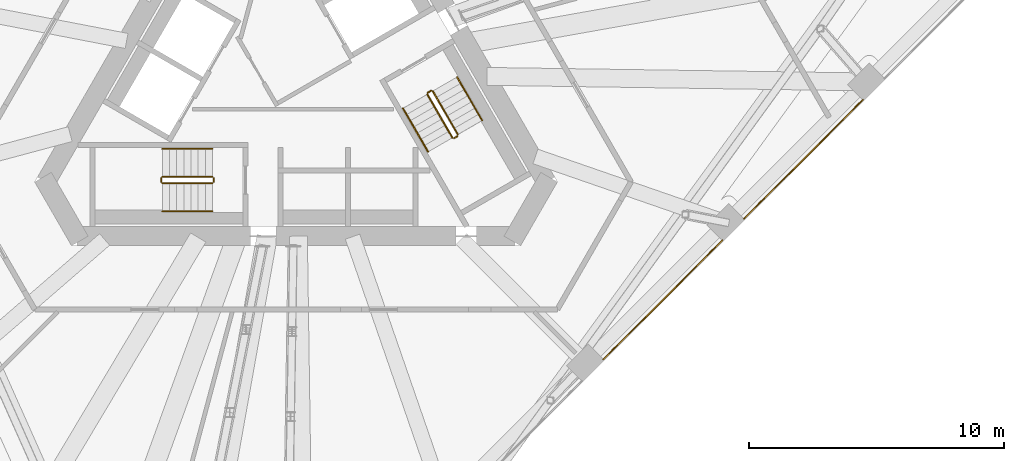
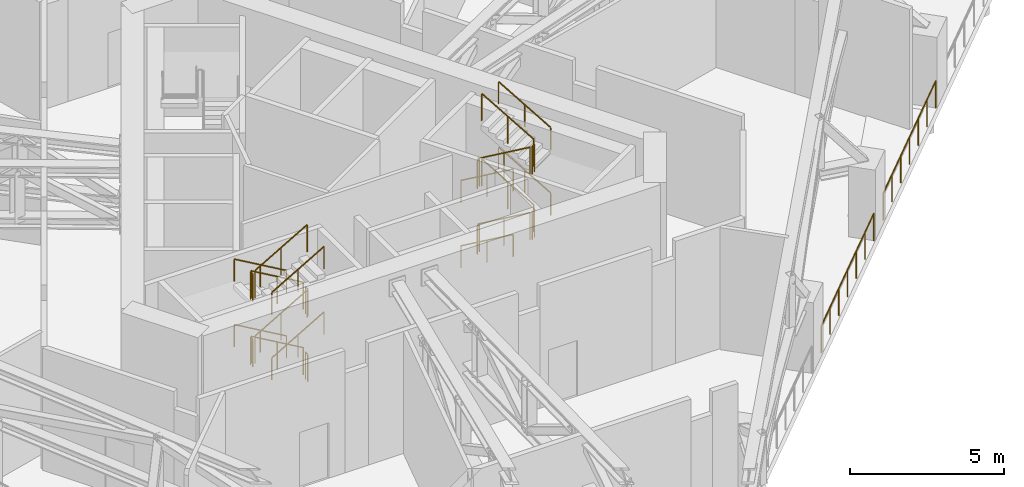
# One storey, part 19 of 22: 26 railings.
"""IFC4 building model written with IfcOpenShell, lengths in metres."""

from ifc_helpers import new_model, si_unit, direction, frame, origin, origin_2d, place, context, subcontext, project, spatial, circle, extrude, material, type_object, element, save


model = new_model("IFC4")

# Units and contexts
model_context = context("Model", 3, precision=1e-05, world=origin(), true_north=direction((0.0, 1.0)))
body_context = subcontext(model_context, "Body", "Model", "MODEL_VIEW")
ifc_project = project(units=[si_unit("LENGTHUNIT", "METRE"), si_unit("AREAUNIT", "SQUARE_METRE"), si_unit("VOLUMEUNIT", "CUBIC_METRE"), si_unit("PLANEANGLEUNIT", "RADIAN"), si_unit("MASSUNIT", "GRAM", prefix="KILO")], contexts=[model_context])

# Site, building, storey
site_placement = place(None, origin())
site = spatial("IfcSite", under=ifc_project, at=site_placement, CompositionType="ELEMENT")
building_placement = place(site_placement, origin())
building = spatial("IfcBuilding", under=site, at=building_placement, Name="Tramontana Tower", CompositionType="ELEMENT")
storey_placement = place(building_placement, frame((0.0, 0.0, 232.0)))
storey = spatial("IfcBuildingStorey", under=building, at=storey_placement, Name="L54", CompositionType="ELEMENT", Elevation=232.0)

# Railings
ifc_material_1 = material(Name="Stainless steel rail and posts", Category="steel")
railing_type_1 = type_object("IfcRailingType", Name="GD2 Terrace guard 1100", PredefinedType="GUARDRAIL", material=ifc_material_1)
railing_1_placement = place(storey_placement, frame((12.05615234375, -11.207763671875, 0.0)))
element("IfcRailing", 1, at=railing_1_placement, inside=storey, type_object=railing_type_1, Name="Edge guard L54 16", PredefinedType="GUARDRAIL", context=body_context, shape_type="SweptSolid", body=[
    extrude(circle(Radius=0.02392578125, at=origin_2d()), frame((0.0, 0.0, 1.076171875), z_axis=(0.707106781187, 0.707106781187, 0.0), x_axis=(-0.707106781187, 0.707106781187, 0.0)), (0.0, 0.0, 1.0), 6.59423828125),
    extrude(circle(Radius=0.02099609375, at=origin_2d()), origin(), (0.0, 0.0, 1.0), 1.052001953125),
    extrude(circle(Radius=0.02099609375, at=origin_2d()), frame((0.777099609375, 0.777099609375, 0.0)), (0.0, 0.0, 1.0), 1.052001953125),
    extrude(circle(Radius=0.02099609375, at=origin_2d()), frame((1.55419921875, 1.55419921875, 0.0)), (0.0, 0.0, 1.0), 1.052001953125),
    extrude(circle(Radius=0.02099609375, at=origin_2d()), frame((2.33154296875, 2.33154296875, 0.0)), (0.0, 0.0, 1.0), 1.052001953125),
    extrude(circle(Radius=0.02099609375, at=origin_2d()), frame((3.108642578125, 3.108642578125, 0.0)), (0.0, 0.0, 1.0), 1.052001953125),
    extrude(circle(Radius=0.02099609375, at=origin_2d()), frame((3.8857421875, 3.8857421875, 0.0)), (0.0, 0.0, 1.0), 1.052001953125),
    extrude(circle(Radius=0.02099609375, at=origin_2d()), frame((4.662841796875, 4.662841796875, 0.0)), (0.0, 0.0, 1.0), 1.052001953125),
])
railing_2_placement = place(storey_placement, frame((17.567626953125, -5.6962890625, 0.0)))
element("IfcRailing", 2, at=railing_2_placement, inside=storey, type_object=railing_type_1, Name="Edge guard L54 18", PredefinedType="GUARDRAIL", context=body_context, shape_type="SweptSolid", body=[
    extrude(circle(Radius=0.02392578125, at=origin_2d()), frame((0.0, 0.0, 1.076171875), z_axis=(0.707088268842, 0.707125293047, 0.0), x_axis=(-0.707125293047, 0.707088268842, 0.0)), (0.0, 0.0, 1.0), 6.593994140625),
    extrude(circle(Radius=0.02099609375, at=origin_2d()), origin(), (0.0, 0.0, 1.0), 1.052001953125),
    extrude(circle(Radius=0.02099609375, at=origin_2d()), frame((0.777099609375, 0.777099609375, 0.0)), (0.0, 0.0, 1.0), 1.052001953125),
    extrude(circle(Radius=0.02099609375, at=origin_2d()), frame((1.55419921875, 1.55419921875, 0.0)), (0.0, 0.0, 1.0), 1.052001953125),
    extrude(circle(Radius=0.02099609375, at=origin_2d()), frame((2.331298828125, 2.33154296875, 0.0)), (0.0, 0.0, 1.0), 1.052001953125),
    extrude(circle(Radius=0.02099609375, at=origin_2d()), frame((3.1083984375, 3.108642578125, 0.0)), (0.0, 0.0, 1.0), 1.052001953125),
    extrude(circle(Radius=0.02099609375, at=origin_2d()), frame((3.885498046875, 3.8857421875, 0.0)), (0.0, 0.0, 1.0), 1.052001953125),
    extrude(circle(Radius=0.02099609375, at=origin_2d()), frame((4.66259765625, 4.662841796875, 0.0)), (0.0, 0.0, 1.0), 1.052001953125),
])
ifc_material_2 = material(Name="Painted steel", Category="steel")
railing_type_2 = type_object("IfcRailingType", Name="STAIR GUARD 1100", PredefinedType="GUARDRAIL", material=ifc_material_2)
railing_3_placement = place(storey_placement, frame((-3.280029296875, -4.050048828125, 0.16259765625)))
element("IfcRailing", 3, at=railing_3_placement, inside=storey, type_object=railing_type_2, Name="L54 ST2 stair guard 1", PredefinedType="GUARDRAIL", context=body_context, shape_type="SweptSolid", body=[
    extrude(circle(Radius=0.02392578125, at=origin_2d()), frame((0.0, 0.0, 1.076171875), z_axis=(-0.864902109995, 0.0, 0.501940574298), x_axis=(0.0, -1.0, 0.0)), (0.0, 0.0, 1.0), 2.26611328125),
    extrude(circle(Radius=0.02099609375, at=origin_2d()), origin(), (0.0, 0.0, 1.0), 1.052001953125),
    extrude(circle(Radius=0.02099609375, at=origin_2d()), frame((-0.97998046875, 0.0, 0.56884765625)), (0.0, 0.0, 1.0), 1.052001953125),
    extrude(circle(Radius=0.02099609375, at=origin_2d()), frame((-1.9599609375, 0.0, 1.137451171875)), (0.0, 0.0, 1.0), 1.052001953125),
])
railing_4_placement = place(storey_placement, frame((-5.239990234375, -4.300048828125, 1.46240234375)))
element("IfcRailing", 4, at=railing_4_placement, inside=storey, type_object=railing_type_2, Name="L54 ST2 stair guard 2", PredefinedType="GUARDRAIL", context=body_context, shape_type="SweptSolid", body=[
    extrude(circle(Radius=0.02392578125, at=origin_2d()), frame((0.0, 0.0, 1.076171875), z_axis=(0.864855337533, 0.0, 0.502021160053), x_axis=(0.0, 1.0, 0.0)), (0.0, 0.0, 1.0), 2.26611328125),
    extrude(circle(Radius=0.02099609375, at=origin_2d()), origin(), (0.0, 0.0, 1.0), 1.052001953125),
    extrude(circle(Radius=0.02099609375, at=origin_2d()), frame((0.97998046875, 0.0, 0.56884765625)), (0.0, 0.0, 1.0), 1.052001953125),
    extrude(circle(Radius=0.02099609375, at=origin_2d()), frame((1.9599609375, 0.0, 1.1376953125)), (0.0, 0.0, 1.0), 1.052001953125),
])
railing_5_placement = place(storey_placement, frame((-3.280029296875, -4.050048828125, 2.762451171875)))
element("IfcRailing", 5, at=railing_5_placement, inside=storey, type_object=railing_type_2, Name="L54 ST2 stair guard 3", PredefinedType="GUARDRAIL", context=body_context, shape_type="SweptSolid", body=[
    extrude(circle(Radius=0.02392578125, at=origin_2d()), frame((0.0, 0.0, 1.076171875), z_axis=(-0.864902109995, 0.0, 0.501940574298), x_axis=(0.0, -1.0, 0.0)), (0.0, 0.0, 1.0), 2.26611328125),
    extrude(circle(Radius=0.02099609375, at=origin_2d()), origin(), (0.0, 0.0, 1.0), 1.052001953125),
    extrude(circle(Radius=0.02099609375, at=origin_2d()), frame((-0.97998046875, 0.0, 0.56884765625)), (0.0, 0.0, 1.0), 1.052001953125),
    extrude(circle(Radius=0.02099609375, at=origin_2d()), frame((-1.9599609375, 0.0, 1.137451171875)), (0.0, 0.0, 1.0), 1.052001953125),
])
railing_6_placement = place(storey_placement, frame((-5.239990234375, -4.300048828125, 4.0625)))
element("IfcRailing", 6, at=railing_6_placement, inside=storey, type_object=railing_type_2, Name="L54 ST2 stair guard 4", PredefinedType="GUARDRAIL", context=body_context, shape_type="SweptSolid", body=[
    extrude(circle(Radius=0.02392578125, at=origin_2d()), frame((0.0, 0.0, 1.076171875), z_axis=(0.864902109995, 0.0, 0.501940574298), x_axis=(0.0, 1.0, 0.0)), (0.0, 0.0, 1.0), 2.26611328125),
    extrude(circle(Radius=0.02099609375, at=origin_2d()), origin(), (0.0, 0.0, 1.0), 1.052001953125),
    extrude(circle(Radius=0.02099609375, at=origin_2d()), frame((0.97998046875, 0.0, 0.56884765625)), (0.0, 0.0, 1.0), 1.052001953125),
    extrude(circle(Radius=0.02099609375, at=origin_2d()), frame((1.9599609375, 0.0, 1.137451171875)), (0.0, 0.0, 1.0), 1.052001953125),
])
for number, where, name in (
    (7, (-5.2900390625, -4.10009765625, 1.300048828125), "L54 ST2 stair guard 5"),
    (8, (-3.22998046875, -4.10009765625, 2.60009765625), "L54 ST2 stair guard 6"),
    (9, (-5.2900390625, -4.10009765625, 3.89990234375), "L54 ST2 stair guard 7"),
    (10, (-3.22998046875, -4.10009765625, 0.0), "L54 ST2 stair guard 8"),
):
    element("IfcRailing", number, at=place(storey_placement, frame(where)), inside=storey, type_object=railing_type_2, Name=name, PredefinedType="GUARDRAIL", context=body_context, shape_type="SweptSolid", body=[
        extrude(circle(Radius=0.02392578125, at=origin_2d()), frame((0.0, 0.0, 1.076171875), z_axis=(0.0, -1.0, 0.0), x_axis=(1.0, 0.0, 0.0)), (0.0, 0.0, 1.0), 0.14990234375),
        extrude(circle(Radius=0.02099609375, at=origin_2d()), origin(), (0.0, 0.0, 1.0), 1.052001953125),
        extrude(circle(Radius=0.02099609375, at=origin_2d()), frame((0.0, -0.14990234375, 0.0)), (0.0, 0.0, 1.0), 1.052001953125),
    ])
railing_7_placement = place(storey_placement, frame((5.1474609375, -0.815673828125, 0.16259765625)))
element("IfcRailing", 11, at=railing_7_placement, inside=storey, type_object=railing_type_2, Name="L54 ST3 stair guard 1", PredefinedType="GUARDRAIL", context=body_context, shape_type="SweptSolid", body=[
    extrude(circle(Radius=0.02392578125, at=origin_2d()), frame((0.0, 0.0, 1.076171875), z_axis=(0.432466826973, -0.749005824891, 0.501958880634), x_axis=(0.866011328839, 0.500024377727, 0.0)), (0.0, 0.0, 1.0), 2.26611328125),
    extrude(circle(Radius=0.02099609375, at=origin_2d()), origin(), (0.0, 0.0, 1.0), 1.052001953125),
    extrude(circle(Radius=0.02099609375, at=origin_2d()), frame((0.489990234375, -0.8486328125, 0.56884765625)), (0.0, 0.0, 1.0), 1.052001953125),
    extrude(circle(Radius=0.02099609375, at=origin_2d()), frame((0.97998046875, -1.697265625, 1.137451171875)), (0.0, 0.0, 1.0), 1.052001953125),
])
railing_8_placement = place(storey_placement, frame((6.343994140625, -2.387939453125, 1.46240234375)))
element("IfcRailing", 12, at=railing_8_placement, inside=storey, type_object=railing_type_2, Name="L54 ST3 stair guard 2", PredefinedType="GUARDRAIL", context=body_context, shape_type="SweptSolid", body=[
    extrude(circle(Radius=0.02392578125, at=origin_2d()), frame((0.0, 0.0, 1.076171875), z_axis=(-0.432443438183, 0.748965316953, 0.502039467347), x_axis=(-0.866011328839, -0.500024377727, 0.0)), (0.0, 0.0, 1.0), 2.26611328125),
    extrude(circle(Radius=0.02099609375, at=origin_2d()), origin(), (0.0, 0.0, 1.0), 1.052001953125),
    extrude(circle(Radius=0.02099609375, at=origin_2d()), frame((-0.489990234375, 0.8486328125, 0.56884765625)), (0.0, 0.0, 1.0), 1.052001953125),
    extrude(circle(Radius=0.02099609375, at=origin_2d()), frame((-0.97998046875, 1.697265625, 1.1376953125)), (0.0, 0.0, 1.0), 1.052001953125),
])
railing_9_placement = place(storey_placement, frame((5.1474609375, -0.815673828125, 2.762451171875)))
element("IfcRailing", 13, at=railing_9_placement, inside=storey, type_object=railing_type_2, Name="L54 ST3 stair guard 3", PredefinedType="GUARDRAIL", context=body_context, shape_type="SweptSolid", body=[
    extrude(circle(Radius=0.02392578125, at=origin_2d()), frame((0.0, 0.0, 1.076171875), z_axis=(0.432466826973, -0.749005824891, 0.501958880634), x_axis=(0.866011328839, 0.500024377727, 0.0)), (0.0, 0.0, 1.0), 2.26611328125),
    extrude(circle(Radius=0.02099609375, at=origin_2d()), origin(), (0.0, 0.0, 1.0), 1.052001953125),
    extrude(circle(Radius=0.02099609375, at=origin_2d()), frame((0.489990234375, -0.8486328125, 0.56884765625)), (0.0, 0.0, 1.0), 1.052001953125),
    extrude(circle(Radius=0.02099609375, at=origin_2d()), frame((0.97998046875, -1.697265625, 1.137451171875)), (0.0, 0.0, 1.0), 1.052001953125),
])
railing_10_placement = place(storey_placement, frame((6.343994140625, -2.387939453125, 4.0625)))
element("IfcRailing", 14, at=railing_10_placement, inside=storey, type_object=railing_type_2, Name="L54 ST3 stair guard 4", PredefinedType="GUARDRAIL", context=body_context, shape_type="SweptSolid", body=[
    extrude(circle(Radius=0.02392578125, at=origin_2d()), frame((0.0, 0.0, 1.076171875), z_axis=(-0.432466826973, 0.749005824891, 0.501958880634), x_axis=(-0.866011328839, -0.500024377727, 0.0)), (0.0, 0.0, 1.0), 2.26611328125),
    extrude(circle(Radius=0.02099609375, at=origin_2d()), origin(), (0.0, 0.0, 1.0), 1.052001953125),
    extrude(circle(Radius=0.02099609375, at=origin_2d()), frame((-0.489990234375, 0.8486328125, 0.56884765625)), (0.0, 0.0, 1.0), 1.052001953125),
    extrude(circle(Radius=0.02099609375, at=origin_2d()), frame((-0.97998046875, 1.697265625, 1.137451171875)), (0.0, 0.0, 1.0), 1.052001953125),
])
for number, where, name in (
    (15, (6.19580078125, -2.53125, 1.300048828125), "L54 ST3 stair guard 5"),
    (16, (5.165771484375, -0.747314453125, 2.60009765625), "L54 ST3 stair guard 6"),
    (17, (6.19580078125, -2.53125, 3.89990234375), "L54 ST3 stair guard 7"),
    (18, (5.165771484375, -0.747314453125, 0.0), "L54 ST3 stair guard 8"),
):
    element("IfcRailing", number, at=place(storey_placement, frame(where)), inside=storey, type_object=railing_type_2, Name=name, PredefinedType="GUARDRAIL", context=body_context, shape_type="SweptSolid", body=[
        extrude(circle(Radius=0.02392578125, at=origin_2d()), frame((0.0, 0.0, 1.076171875), z_axis=(0.866131372301, 0.499816412211, 0.0), x_axis=(-0.499816412211, 0.866131372301, 0.0)), (0.0, 0.0, 1.0), 0.14990234375),
        extrude(circle(Radius=0.02099609375, at=origin_2d()), origin(), (0.0, 0.0, 1.0), 1.052001953125),
        extrude(circle(Radius=0.02099609375, at=origin_2d()), frame((0.1298828125, 0.074951171875, 0.0)), (0.0, 0.0, 1.0), 1.052001953125),
    ])
ifc_material_3 = material(Name="Painted steel", Category="steel")
railing_type_3 = type_object("IfcRailingType", Name="STAIR HANDRAIL 900", PredefinedType="HANDRAIL", material=ifc_material_3)
railing_11_placement = place(storey_placement, frame((-3.280029296875, -2.949951171875, 0.16259765625)))
element("IfcRailing", 19, at=railing_11_placement, inside=storey, type_object=railing_type_3, Name="L54 ST2 stair handrail 1", PredefinedType="HANDRAIL", context=body_context, shape_type="SweptSolid", body=[
    extrude(circle(Radius=0.02392578125, at=origin_2d()), frame((0.0, 0.0, 0.8759765625), z_axis=(-0.864902109995, 0.0, 0.501940574298), x_axis=(0.0, -1.0, 0.0)), (0.0, 0.0, 1.0), 2.26611328125),
    extrude(circle(Radius=0.02099609375, at=origin_2d()), origin(), (0.0, 0.0, 1.0), 0.851806640625),
    extrude(circle(Radius=0.02099609375, at=origin_2d()), frame((-0.97998046875, 0.0, 0.56884765625)), (0.0, 0.0, 1.0), 0.851806640625),
    extrude(circle(Radius=0.02099609375, at=origin_2d()), frame((-1.9599609375, 0.0, 1.137451171875)), (0.0, 0.0, 1.0), 0.851806640625),
])
railing_12_placement = place(storey_placement, frame((-5.239990234375, -5.39990234375, 1.46240234375)))
element("IfcRailing", 20, at=railing_12_placement, inside=storey, type_object=railing_type_3, Name="L54 ST2 stair handrail 2", PredefinedType="HANDRAIL", context=body_context, shape_type="SweptSolid", body=[
    extrude(circle(Radius=0.02392578125, at=origin_2d()), frame((0.0, 0.0, 0.8759765625), z_axis=(0.864855337533, 0.0, 0.502021160053), x_axis=(0.0, 1.0, 0.0)), (0.0, 0.0, 1.0), 2.26611328125),
    extrude(circle(Radius=0.02099609375, at=origin_2d()), origin(), (0.0, 0.0, 1.0), 0.851806640625),
    extrude(circle(Radius=0.02099609375, at=origin_2d()), frame((0.97998046875, 0.0, 0.56884765625)), (0.0, 0.0, 1.0), 0.851806640625),
    extrude(circle(Radius=0.02099609375, at=origin_2d()), frame((1.9599609375, 0.0, 1.1376953125)), (0.0, 0.0, 1.0), 0.851806640625),
])
railing_13_placement = place(storey_placement, frame((-3.280029296875, -2.949951171875, 2.762451171875)))
element("IfcRailing", 21, at=railing_13_placement, inside=storey, type_object=railing_type_3, Name="L54 ST2 stair handrail 3", PredefinedType="HANDRAIL", context=body_context, shape_type="SweptSolid", body=[
    extrude(circle(Radius=0.02392578125, at=origin_2d()), frame((0.0, 0.0, 0.8759765625), z_axis=(-0.864902109995, 0.0, 0.501940574298), x_axis=(0.0, -1.0, 0.0)), (0.0, 0.0, 1.0), 2.26611328125),
    extrude(circle(Radius=0.02099609375, at=origin_2d()), origin(), (0.0, 0.0, 1.0), 0.851806640625),
    extrude(circle(Radius=0.02099609375, at=origin_2d()), frame((-0.97998046875, 0.0, 0.56884765625)), (0.0, 0.0, 1.0), 0.851806640625),
    extrude(circle(Radius=0.02099609375, at=origin_2d()), frame((-1.9599609375, 0.0, 1.137451171875)), (0.0, 0.0, 1.0), 0.851806640625),
])
railing_14_placement = place(storey_placement, frame((-5.239990234375, -5.39990234375, 4.0625)))
element("IfcRailing", 22, at=railing_14_placement, inside=storey, type_object=railing_type_3, Name="L54 ST2 stair handrail 4", PredefinedType="HANDRAIL", context=body_context, shape_type="SweptSolid", body=[
    extrude(circle(Radius=0.02392578125, at=origin_2d()), frame((0.0, 0.0, 0.8759765625), z_axis=(0.864902109995, 0.0, 0.501940574298), x_axis=(0.0, 1.0, 0.0)), (0.0, 0.0, 1.0), 2.26611328125),
    extrude(circle(Radius=0.02099609375, at=origin_2d()), origin(), (0.0, 0.0, 1.0), 0.851806640625),
    extrude(circle(Radius=0.02099609375, at=origin_2d()), frame((0.97998046875, 0.0, 0.56884765625)), (0.0, 0.0, 1.0), 0.851806640625),
    extrude(circle(Radius=0.02099609375, at=origin_2d()), frame((1.9599609375, 0.0, 1.137451171875)), (0.0, 0.0, 1.0), 0.851806640625),
])
railing_15_placement = place(storey_placement, frame((4.19482421875, -1.365478515625, 0.16259765625)))
element("IfcRailing", 23, at=railing_15_placement, inside=storey, type_object=railing_type_3, Name="L54 ST3 stair handrail 1", PredefinedType="HANDRAIL", context=body_context, shape_type="SweptSolid", body=[
    extrude(circle(Radius=0.02392578125, at=origin_2d()), frame((0.0, 0.0, 0.8759765625), z_axis=(0.432431929651, -0.749053115811, 0.501918375746), x_axis=(0.866042469362, 0.499970440388, 0.0)), (0.0, 0.0, 1.0), 2.26611328125),
    extrude(circle(Radius=0.02099609375, at=origin_2d()), origin(), (0.0, 0.0, 1.0), 0.851806640625),
    extrude(circle(Radius=0.02099609375, at=origin_2d()), frame((0.489990234375, -0.8486328125, 0.56884765625)), (0.0, 0.0, 1.0), 0.851806640625),
    extrude(circle(Radius=0.02099609375, at=origin_2d()), frame((0.97998046875, -1.697509765625, 1.137451171875)), (0.0, 0.0, 1.0), 0.851806640625),
])
railing_16_placement = place(storey_placement, frame((7.296630859375, -1.837890625, 1.46240234375)))
element("IfcRailing", 24, at=railing_16_placement, inside=storey, type_object=railing_type_3, Name="L54 ST3 stair handrail 2", PredefinedType="HANDRAIL", context=body_context, shape_type="SweptSolid", body=[
    extrude(circle(Radius=0.02392578125, at=origin_2d()), frame((0.0, 0.0, 0.8759765625), z_axis=(-0.432443438183, 0.748965316953, 0.502039467347), x_axis=(-0.866011328839, -0.500024377727, 0.0)), (0.0, 0.0, 1.0), 2.26611328125),
    extrude(circle(Radius=0.02099609375, at=origin_2d()), origin(), (0.0, 0.0, 1.0), 0.851806640625),
    extrude(circle(Radius=0.02099609375, at=origin_2d()), frame((-0.489990234375, 0.8486328125, 0.56884765625)), (0.0, 0.0, 1.0), 0.851806640625),
    extrude(circle(Radius=0.02099609375, at=origin_2d()), frame((-0.97998046875, 1.697265625, 1.1376953125)), (0.0, 0.0, 1.0), 0.851806640625),
])
railing_17_placement = place(storey_placement, frame((4.19482421875, -1.365478515625, 2.762451171875)))
element("IfcRailing", 25, at=railing_17_placement, inside=storey, type_object=railing_type_3, Name="L54 ST3 stair handrail 3", PredefinedType="HANDRAIL", context=body_context, shape_type="SweptSolid", body=[
    extrude(circle(Radius=0.02392578125, at=origin_2d()), frame((0.0, 0.0, 0.8759765625), z_axis=(0.432431929651, -0.749053115811, 0.501918375746), x_axis=(0.866042469362, 0.499970440388, 0.0)), (0.0, 0.0, 1.0), 2.26611328125),
    extrude(circle(Radius=0.02099609375, at=origin_2d()), origin(), (0.0, 0.0, 1.0), 0.851806640625),
    extrude(circle(Radius=0.02099609375, at=origin_2d()), frame((0.489990234375, -0.8486328125, 0.56884765625)), (0.0, 0.0, 1.0), 0.851806640625),
    extrude(circle(Radius=0.02099609375, at=origin_2d()), frame((0.97998046875, -1.697509765625, 1.137451171875)), (0.0, 0.0, 1.0), 0.851806640625),
])
railing_18_placement = place(storey_placement, frame((7.296630859375, -1.837890625, 4.0625)))
element("IfcRailing", 26, at=railing_18_placement, inside=storey, type_object=railing_type_3, Name="L54 ST3 stair handrail 4", PredefinedType="HANDRAIL", context=body_context, shape_type="SweptSolid", body=[
    extrude(circle(Radius=0.02392578125, at=origin_2d()), frame((0.0, 0.0, 0.8759765625), z_axis=(-0.432466826973, 0.749005824891, 0.501958880634), x_axis=(-0.866011328839, -0.500024377727, 0.0)), (0.0, 0.0, 1.0), 2.26611328125),
    extrude(circle(Radius=0.02099609375, at=origin_2d()), origin(), (0.0, 0.0, 1.0), 0.851806640625),
    extrude(circle(Radius=0.02099609375, at=origin_2d()), frame((-0.489990234375, 0.8486328125, 0.56884765625)), (0.0, 0.0, 1.0), 0.851806640625),
    extrude(circle(Radius=0.02099609375, at=origin_2d()), frame((-0.97998046875, 1.697265625, 1.137451171875)), (0.0, 0.0, 1.0), 0.851806640625),
])

save(model, "model.ifc")
